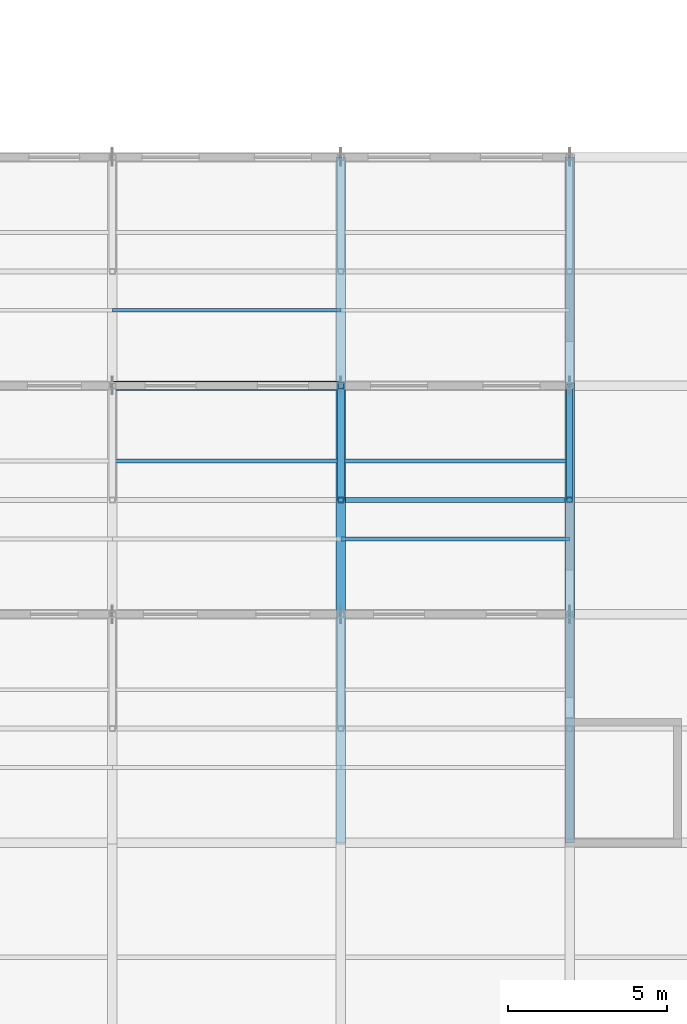
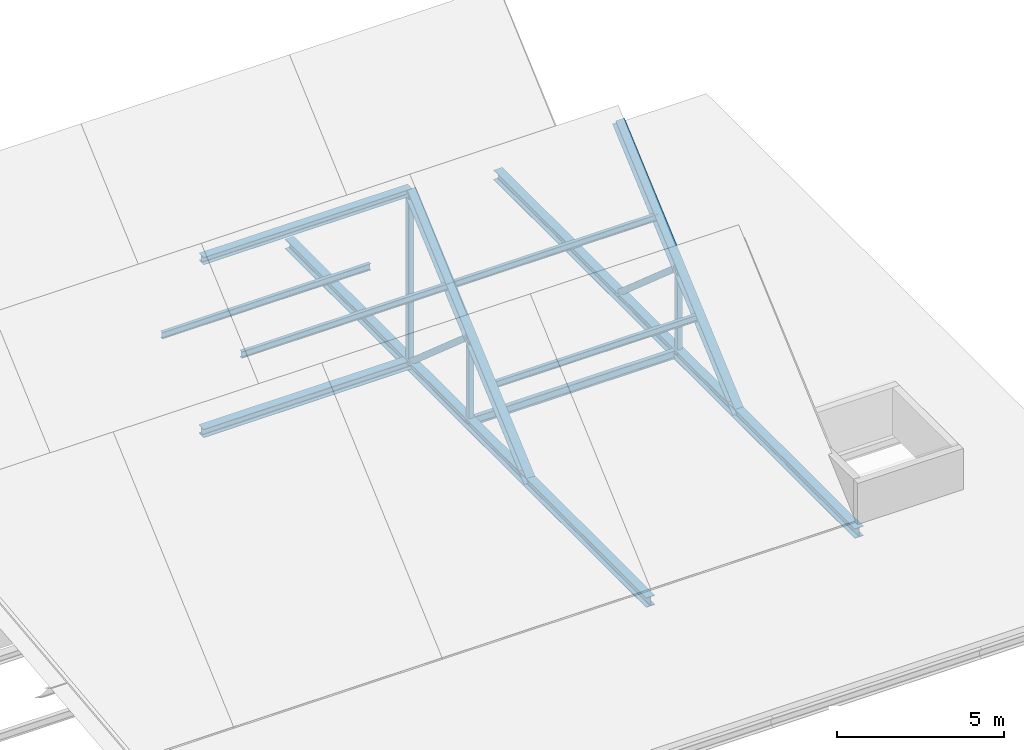
# One storey, part 10 of 31: 9 members, 7 beams.
"""IFC4 building model written with IfcOpenShell, lengths in metres."""

from ifc_helpers import new_model, si_unit, direction, frame, origin, origin_2d, place, context, subcontext, project, spatial, hollow_rectangle, hollow_circle, i_section, extrude, material, material_profile, profile_set, type_object, element, save


model = new_model("IFC4")

# Units and contexts
model_context = context("Model", 3, precision=1e-05, world=origin(), true_north=direction((0.0, 1.0)))
body_context = subcontext(model_context, "Body", "Model", "MODEL_VIEW")
ifc_project = project(units=[si_unit("LENGTHUNIT", "METRE"), si_unit("AREAUNIT", "SQUARE_METRE"), si_unit("VOLUMEUNIT", "CUBIC_METRE"), si_unit("PLANEANGLEUNIT", "RADIAN"), si_unit("MASSUNIT", "GRAM", prefix="KILO")], contexts=[model_context])

# Site, building, storey
site_placement = place(None, origin())
site = spatial("IfcSite", under=ifc_project, at=site_placement, CompositionType="ELEMENT")
building_placement = place(site_placement, origin())
building = spatial("IfcBuilding", under=site, at=building_placement, Name="Zlatovets Crest Museum", CompositionType="ELEMENT")
storey_placement = place(building_placement, frame((0.0, 0.0, 25.199951171875)))
storey = spatial("IfcBuildingStorey", under=building, at=storey_placement, Name="L05", CompositionType="ELEMENT", Elevation=25.199951171875)

# Beams
ifc_material = material(Name="Structural steel S355J2", Category="steel")
ifc_material_profile_1 = material_profile(ifc_material, i_section(OverallWidth=0.300048828125, OverallDepth=0.31005859375, WebThickness=0.009033203125, FlangeThickness=0.015380859375, FilletRadius=0.027099609375, at=origin_2d()), Name="HEA 320")
ifc_profile_set_1 = profile_set([ifc_material_profile_1], Name="Structural steel S355J2")
beam_type_1 = type_object("IfcBeamType", Name="Beam_B-04", PredefinedType="BEAM", material=ifc_profile_set_1)
beam_1_placement = place(storey_placement, frame((86.39990234375, 21.60009765625, -0.39990234375), z_axis=(1.0, 0.0, 0.0), x_axis=(0.0, 1.0, 0.0)))
element("IfcBeam", 1, at=beam_1_placement, inside=storey, type_object=beam_type_1, Name="V2 Sawtooth Tooth 2 Valley / Clerestory Sill Girder", PredefinedType="BEAM", context=body_context, shape_type="SweptSolid", body=[
    extrude(i_section(OverallWidth=0.300048828125, OverallDepth=0.31005859375, WebThickness=0.009033203125, FlangeThickness=0.015380859375, FilletRadius=0.027099609375, at=origin_2d()), origin(), (0.0, 0.0, 1.0), 7.2001953125),
])
ifc_material_profile_2 = material_profile(ifc_material, i_section(OverallWidth=0.280029296875, OverallDepth=0.27001953125, WebThickness=0.008056640625, FlangeThickness=0.012939453125, FilletRadius=0.02392578125, at=origin_2d()), Name="HEA 280")
ifc_profile_set_2 = profile_set([ifc_material_profile_2], Name="Structural steel S355J2")
beam_type_2 = type_object("IfcBeamType", Name="Beam_B-05", PredefinedType="BEAM", material=ifc_profile_set_2)
beam_2_placement = place(storey_placement, frame((86.39990234375, 21.60009765625, 5.8857421875), z_axis=(1.0, 0.0, 0.0), x_axis=(0.0, 1.0, 0.0)))
element("IfcBeam", 2, at=beam_2_placement, inside=storey, type_object=beam_type_2, Name="V2 Sawtooth Tooth 2 Ridge Girder", PredefinedType="BEAM", context=body_context, shape_type="SweptSolid", body=[
    extrude(i_section(OverallWidth=0.280029296875, OverallDepth=0.27001953125, WebThickness=0.008056640625, FlangeThickness=0.012939453125, FilletRadius=0.02392578125, at=origin_2d()), origin(), (0.0, 0.0, 1.0), 7.2001953125),
])
ifc_material_profile_3 = material_profile(ifc_material, i_section(OverallWidth=0.14990234375, OverallDepth=0.300048828125, WebThickness=0.007080078125, FlangeThickness=0.0107421875, FilletRadius=0.014892578125, at=origin_2d()), Name="IPE 300")
ifc_profile_set_3 = profile_set([ifc_material_profile_3], Name="Structural steel S355J2")
beam_type_3 = type_object("IfcBeamType", Name="Beam_J-02", PredefinedType="JOIST", material=ifc_profile_set_3)
beam_3_placement = place(storey_placement, frame((93.75, 18.0, -0.369873046875), z_axis=(1.0, 0.0, 0.0), x_axis=(0.0, 1.0, 0.0)))
element("IfcBeam", 3, at=beam_3_placement, inside=storey, type_object=beam_type_3, Name="V2 L05 Composite Joist J-02", PredefinedType="JOIST", context=body_context, shape_type="SweptSolid", body=[
    extrude(i_section(OverallWidth=0.14990234375, OverallDepth=0.300048828125, WebThickness=0.007080078125, FlangeThickness=0.0107421875, FilletRadius=0.014892578125, at=origin_2d()), origin(), (0.0, 0.0, 1.0), 6.89990234375),
])
ifc_material_profile_4 = material_profile(ifc_material, i_section(OverallWidth=0.1201171875, OverallDepth=0.239990234375, WebThickness=0.006103515625, FlangeThickness=0.009765625, FilletRadius=0.014892578125, at=origin_2d()), Name="IPE 240")
ifc_profile_set_4 = profile_set([ifc_material_profile_4], Name="Structural steel S355J2")
beam_type_4 = type_object("IfcBeamType", Name="Beam_PR-01", PredefinedType="BEAM", material=ifc_profile_set_4)
beam_4_placement = place(storey_placement, frame((86.39990234375, 19.22412109375, 3.8486328125), z_axis=(1.0, 0.0, 0.0), x_axis=(0.0, 1.0, 0.0)))
element("IfcBeam", 4, at=beam_4_placement, inside=storey, type_object=beam_type_4, Name="V2 Sawtooth Tooth 2 Purlin PR-01", PredefinedType="BEAM", context=body_context, shape_type="SweptSolid", body=[
    extrude(i_section(OverallWidth=0.1201171875, OverallDepth=0.239990234375, WebThickness=0.006103515625, FlangeThickness=0.009765625, FilletRadius=0.014892578125, at=origin_2d()), origin(), (0.0, 0.0, 1.0), 7.2001953125),
])
for number, where, z_axis, x_axis, name in (
    (5, (93.60009765625, 16.77587890625, 1.672607421875), (1.0, 0.0, 0.0), (0.0, 1.0, 0.0), "V2 Sawtooth Tooth 2 Purlin PR-01"),
    (6, (93.60009765625, 19.22412109375, 3.8486328125), (1.0, 0.0, 0.0), (0.0, 1.0, 0.0), "V2 Sawtooth Tooth 2 Purlin PR-01"),
):
    element("IfcBeam", number, at=place(storey_placement, frame(where, z_axis=z_axis, x_axis=x_axis)), inside=storey, type_object=beam_type_4, Name=name, PredefinedType="BEAM", context=body_context, shape_type="SweptSolid", body=[
        extrude(i_section(OverallWidth=0.1201171875, OverallDepth=0.239990234375, WebThickness=0.006103515625, FlangeThickness=0.009765625, FilletRadius=0.014892578125, at=origin_2d()), origin(), (0.0, 0.0, 1.0), 7.199951171875),
    ])
beam_5_placement = place(storey_placement, frame((86.39990234375, 23.97607421875, 1.672607421875), z_axis=(1.0, 0.0, 0.0), x_axis=(0.0, 1.0, 0.0)))
element("IfcBeam", 7, at=beam_5_placement, inside=storey, type_object=beam_type_4, Name="V2 Sawtooth Tooth 3 Purlin PR-01", PredefinedType="BEAM", context=body_context, shape_type="SweptSolid", body=[
    extrude(i_section(OverallWidth=0.1201171875, OverallDepth=0.239990234375, WebThickness=0.006103515625, FlangeThickness=0.009765625, FilletRadius=0.014892578125, at=origin_2d()), origin(), (0.0, 0.0, 1.0), 7.2001953125),
])

# Members
ifc_material_profile_5 = material_profile(ifc_material, i_section(OverallWidth=0.300048828125, OverallDepth=0.360107421875, WebThickness=0.012451171875, FlangeThickness=0.0224609375, FilletRadius=0.027099609375, at=origin_2d()), Name="HEB 360")
ifc_profile_set_5 = profile_set([ifc_material_profile_5], Name="Structural steel S355J2")
member_type_1 = type_object("IfcMemberType", Name="Member_TM-01", PredefinedType="CHORD", material=ifc_profile_set_5)
for number, where, z_axis, x_axis, name in (
    (8, (93.60009765625, 7.199951171875, -0.39990234375), (0.0, 1.0, 0.0), (-1.0, 0.0, 0.0), "V2 Multi-Tooth Sawtooth Truss Bottom Tie Chord"),
    (9, (100.800048828125, 7.199951171875, -0.39990234375), (0.0, 1.0, 0.0), (-1.0, 0.0, 0.0), "V2 Multi-Tooth Sawtooth Truss Bottom Tie Chord"),
):
    element("IfcMember", number, at=place(storey_placement, frame(where, z_axis=z_axis, x_axis=x_axis)), inside=storey, type_object=member_type_1, Name=name, PredefinedType="CHORD", context=body_context, shape_type="SweptSolid", body=[
        extrude(i_section(OverallWidth=0.300048828125, OverallDepth=0.360107421875, WebThickness=0.012451171875, FlangeThickness=0.0224609375, FilletRadius=0.027099609375, at=origin_2d()), origin(), (0.0, 0.0, 1.0), 21.60009765625),
    ])
ifc_material_profile_6 = material_profile(ifc_material, i_section(OverallWidth=0.300048828125, OverallDepth=0.31005859375, WebThickness=0.009033203125, FlangeThickness=0.015380859375, FilletRadius=0.027099609375, at=origin_2d()), Name="HEA 320")
ifc_profile_set_6 = profile_set([ifc_material_profile_6], Name="Structural steel S355J2")
member_type_2 = type_object("IfcMemberType", Name="Member_TM-02", PredefinedType="RAFTER", material=ifc_profile_set_6)
for number, where, z_axis, x_axis, name in (
    (10, (93.60009765625, 14.39990234375, -0.39990234375), (0.0, 0.753329397093, 0.657643383207), (-1.0, 0.0, 0.0), "V2 Sawtooth Tooth 2 Rafter Chord"),
    (11, (100.800048828125, 14.39990234375, -0.39990234375), (0.0, 0.753329397093, 0.657643383207), (-1.0, 0.0, 0.0), "V2 Sawtooth Tooth 2 Rafter Chord"),
):
    element("IfcMember", number, at=place(storey_placement, frame(where, z_axis=z_axis, x_axis=x_axis)), inside=storey, type_object=member_type_2, Name=name, PredefinedType="RAFTER", context=body_context, shape_type="SweptSolid", body=[
        extrude(i_section(OverallWidth=0.300048828125, OverallDepth=0.31005859375, WebThickness=0.009033203125, FlangeThickness=0.015380859375, FilletRadius=0.027099609375, at=origin_2d()), origin(), (0.0, 0.0, 1.0), 9.557861328125),
    ])
ifc_material_profile_7 = material_profile(ifc_material, hollow_rectangle(XDim=0.199951171875, YDim=0.199951171875, WallThickness=0.012451171875, InnerFilletRadius=0.012451171875, OuterFilletRadius=0.02490234375, at=origin_2d()), Name="SHS 200x200x12.5")
ifc_profile_set_7 = profile_set([ifc_material_profile_7], Name="Structural steel S355J2")
member_type_3 = type_object("IfcMemberType", Name="Member_TM-03", PredefinedType="BRACE", material=ifc_profile_set_7)
member_placement = place(storey_placement, frame((93.60009765625, 21.60009765625, -0.39990234375), z_axis=(0.0, 0.0, 1.0), x_axis=(1.0, 0.0, 0.0)))
element("IfcMember", 12, at=member_placement, inside=storey, type_object=member_type_3, Name="V2 Sawtooth Tooth 2 North-Light Post", PredefinedType="BRACE", context=body_context, shape_type="SweptSolid", body=[
    extrude(hollow_rectangle(XDim=0.199951171875, YDim=0.199951171875, WallThickness=0.012451171875, InnerFilletRadius=0.012451171875, OuterFilletRadius=0.02490234375, at=origin_2d()), origin(), (0.0, 0.0, 1.0), 6.28564453125),
])
ifc_material_profile_8 = material_profile(ifc_material, hollow_rectangle(XDim=0.179931640625, YDim=0.179931640625, WallThickness=0.010009765625, InnerFilletRadius=0.010009765625, OuterFilletRadius=0.02001953125, at=origin_2d()), Name="SHS 180x180x10.0")
ifc_profile_set_8 = profile_set([ifc_material_profile_8], Name="Structural steel S355J2")
member_type_4 = type_object("IfcMemberType", Name="Member_TM-04", PredefinedType="STRUT", material=ifc_profile_set_8)
for number, where, z_axis, x_axis, name in (
    (13, (93.60009765625, 18.0, -0.39990234375), (0.0, 0.0, 1.0), (1.0, 0.0, 0.0), "V2 Sawtooth Tooth 2 Web Post"),
    (14, (100.800048828125, 18.0, -0.39990234375), (0.0, 0.0, 1.0), (1.0, 0.0, 0.0), "V2 Sawtooth Tooth 2 Web Post"),
):
    element("IfcMember", number, at=place(storey_placement, frame(where, z_axis=z_axis, x_axis=x_axis)), inside=storey, type_object=member_type_4, Name=name, PredefinedType="STRUT", context=body_context, shape_type="SweptSolid", body=[
        extrude(hollow_rectangle(XDim=0.179931640625, YDim=0.179931640625, WallThickness=0.010009765625, InnerFilletRadius=0.010009765625, OuterFilletRadius=0.02001953125, at=origin_2d()), origin(), (0.0, 0.0, 1.0), 3.142822265625),
    ])
ifc_material_profile_9 = material_profile(ifc_material, hollow_circle(Radius=0.109619140625, WallThickness=0.010009765625, at=origin_2d()), Name="CHS 219.1x10.0")
ifc_profile_set_9 = profile_set([ifc_material_profile_9], Name="Structural steel S355J2")
member_type_5 = type_object("IfcMemberType", Name="Member_TM-05", PredefinedType="BRACE", material=ifc_profile_set_9)
for number, where, z_axis, x_axis, name in (
    (15, (93.60009765625, 18.0, 2.742919921875), (0.0, 0.753329397093, -0.657643383207), (-1.0, 0.0, 0.0), "V2 Sawtooth Tooth 2 Web Diagonal"),
    (16, (100.800048828125, 18.0, 2.742919921875), (0.0, 0.753329397093, -0.657643383207), (-1.0, 0.0, 0.0), "V2 Sawtooth Tooth 2 Web Diagonal"),
):
    element("IfcMember", number, at=place(storey_placement, frame(where, z_axis=z_axis, x_axis=x_axis)), inside=storey, type_object=member_type_5, Name=name, PredefinedType="BRACE", context=body_context, shape_type="SweptSolid", body=[
        extrude(hollow_circle(Radius=0.109619140625, WallThickness=0.010009765625, at=origin_2d()), origin(), (0.0, 0.0, 1.0), 4.77880859375),
    ])

save(model, "model.ifc")
